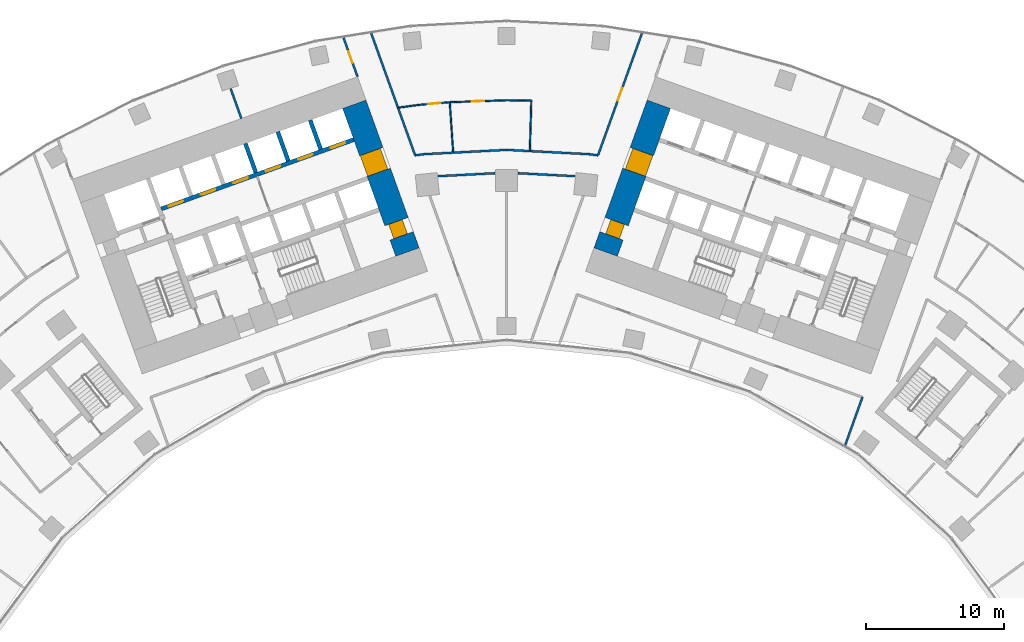
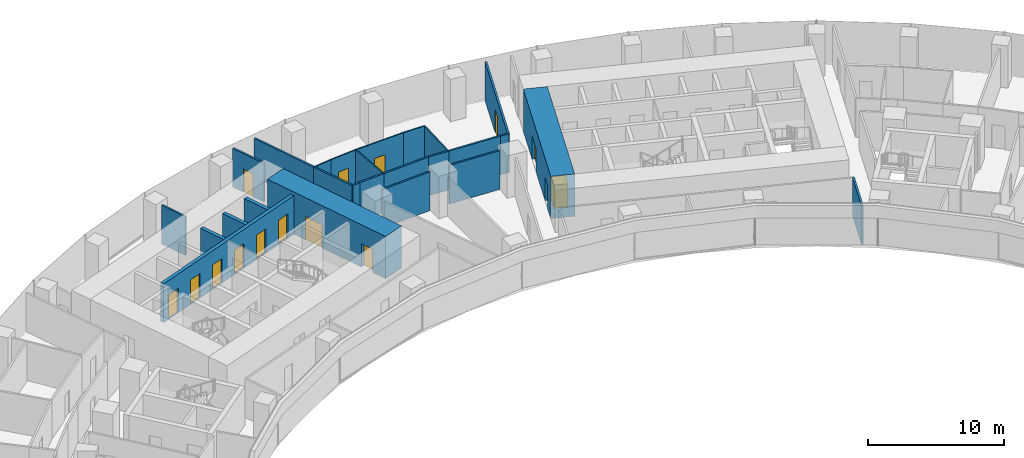
# One storey, part 16 of 21: 26 walls, 14 doors, 14 openings.
"""IFC4 building model written with IfcOpenShell, lengths in metres."""

from ifc_helpers import new_model, si_unit, direction, frame, frame_2d, origin, place, context, subcontext, project, spatial, rectangle, extrude, material, layer, layer_set, type_object, element, fill, save


model = new_model("IFC4")

# Units and contexts
model_context = context("Model", 3, precision=1e-05, world=origin(), true_north=direction((0.0, 1.0)))
body_context = subcontext(model_context, "Body", "Model", "MODEL_VIEW")
ifc_project = project(units=[si_unit("LENGTHUNIT", "METRE"), si_unit("AREAUNIT", "SQUARE_METRE"), si_unit("VOLUMEUNIT", "CUBIC_METRE"), si_unit("PLANEANGLEUNIT", "RADIAN"), si_unit("MASSUNIT", "GRAM", prefix="KILO")], contexts=[model_context])

# Site, building, storey
site_placement = place(None, origin())
site = spatial("IfcSite", under=ifc_project, at=site_placement, CompositionType="ELEMENT")
building_placement = place(site_placement, origin())
building = spatial("IfcBuilding", under=site, at=building_placement, Name="Stone Belt Terrace Tower", CompositionType="ELEMENT")
storey_placement = place(building_placement, frame((0.0, 0.0, 33.800048828125)))
storey = spatial("IfcBuildingStorey", under=building, at=storey_placement, Name="L07", CompositionType="ELEMENT", Elevation=33.800048828125)

# Wall, openings, doors
ifc_material_1 = material(Name="Concrete B80", Category="concrete")
ifc_layer_1 = layer(ifc_material_1, 1.800048828125)
ifc_layer_set_1 = layer_set([ifc_layer_1], Name="Core wall 1800 B80")
wall_type_1 = type_object("IfcWallType", Name="Core wall 1800 B80", PredefinedType="SHEAR", material=ifc_layer_set_1)
wall_1_placement = place(storey_placement, frame((-7.19091796875, 49.8076171875, 0.0), z_axis=(0.0, 0.0, 1.0), x_axis=(-0.338632255135, 0.940918804033, 0.0)))
wall_1 = element("IfcWall", 1, at=wall_1_placement, inside=storey, type_object=wall_type_1, Name="Core A wall end_b L07", PredefinedType="SHEAR", context=body_context, shape_type="SweptSolid", body=[
    extrude(rectangle(XDim=11.39990234375, YDim=1.800048828125, at=frame_2d((5.699951171875, 0.0))), origin(), (0.0, 0.0, 1.0), 3.800048828125),
])
opening_1_placement = place(wall_1_placement, frame((6.14990234375, 0.0, 0.0)))
opening_1 = element("IfcOpeningElement", 2, at=opening_1_placement, cuts=wall_1, Name="Opening L07-C04", PredefinedType="OPENING", context=body_context, shape_type="SweptSolid", body=[
    extrude(rectangle(XDim=1.60009765625, YDim=2.10009765625, at=frame_2d((0.800048828125, 1.050048828125))), frame((0.0, 0.909912109375, 0.0), z_axis=(0.0, -1.0, 0.0), x_axis=(1.0, 0.0, 0.0)), (0.0, 0.0, 1.0), 1.820068359375),
])
opening_2_placement = place(wall_1_placement, frame((1.25, 0.0, 0.0)))
opening_2 = element("IfcOpeningElement", 3, at=opening_2_placement, cuts=wall_1, Name="Opening L07-C10", PredefinedType="OPENING", context=body_context, shape_type="SweptSolid", body=[
    extrude(rectangle(XDim=1.10009765625, YDim=2.10009765625, at=frame_2d((0.550048828125, 1.050048828125))), frame((0.0, 0.909912109375, 0.0), z_axis=(0.0, -1.0, 0.0), x_axis=(1.0, 0.0, 0.0)), (0.0, 0.0, 1.0), 1.820068359375),
])
ifc_material_2 = material(Name="Timber door leaf", Category="wood")
door_type_1 = type_object("IfcDoorType", Name="Core room door 1100", OperationType="SINGLE_SWING_LEFT", PredefinedType="DOOR", material=ifc_material_2)
door_1_placement = place(opening_2_placement, origin())
door_1 = element("IfcDoor", 4, at=door_1_placement, inside=storey, type_object=door_type_1, Name="Door to Electrical riser room core A", OperationType="SINGLE_SWING_RIGHT", OverallHeight=2.10009765625, OverallWidth=1.10009765625, PredefinedType="DOOR", context=body_context, shape_type="SweptSolid", body=[
    extrude(rectangle(XDim=1.10009765625, YDim=2.10009765625, at=frame_2d((0.550048828125, 1.050048828125))), frame((0.0, 0.60498046875, 0.0), z_axis=(0.0, -1.0, 0.0), x_axis=(1.0, 0.0, 0.0)), (0.0, 0.0, 1.0), 1.050048828125),
])
fill(opening_2, door_1)
ifc_material_3 = material(Name="Glazed aluminium door leaf", Category="aluminium")
door_type_2 = type_object("IfcDoorType", Name="Lift lobby entrance door 1600", OperationType="DOUBLE_DOOR_SINGLE_SWING", PredefinedType="DOOR", material=ifc_material_3)
door_2_placement = place(opening_1_placement, origin())
door_2 = element("IfcDoor", 5, at=door_2_placement, inside=storey, type_object=door_type_2, Name="Lift lobby entrance door core A", OperationType="DOUBLE_DOOR_SINGLE_SWING", OverallHeight=2.10009765625, OverallWidth=1.60009765625, PredefinedType="DOOR", context=body_context, shape_type="SweptSolid", body=[
    extrude(rectangle(XDim=1.60009765625, YDim=2.10009765625, at=frame_2d((0.800048828125, 1.050048828125))), frame((0.0, 0.85498046875, 0.0), z_axis=(0.0, -1.0, 0.0), x_axis=(1.0, 0.0, 0.0)), (0.0, 0.0, 1.0), 1.550048828125),
])
fill(opening_1, door_2)

wall_2_placement = place(storey_placement, frame((7.19091796875, 49.8076171875, 0.0), z_axis=(0.0, 0.0, 1.0), x_axis=(0.338632255135, 0.940918804033, 0.0)))
wall_2 = element("IfcWall", 6, at=wall_2_placement, inside=storey, type_object=wall_type_1, Name="Core B wall end_a L07", PredefinedType="SHEAR", context=body_context, shape_type="SweptSolid", body=[
    extrude(rectangle(XDim=11.39990234375, YDim=1.800048828125, at=frame_2d((5.699951171875, 0.0))), origin(), (0.0, 0.0, 1.0), 3.800048828125),
])
opening_3_placement = place(wall_2_placement, frame((6.14990234375, 0.0, 0.0)))
opening_3 = element("IfcOpeningElement", 7, at=opening_3_placement, cuts=wall_2, Name="Opening L07-C14", PredefinedType="OPENING", context=body_context, shape_type="SweptSolid", body=[
    extrude(rectangle(XDim=1.60009765625, YDim=2.10009765625, at=frame_2d((0.800048828125, 1.050048828125))), frame((0.0, 0.909912109375, 0.0), z_axis=(0.0, -1.0, 0.0), x_axis=(1.0, 0.0, 0.0)), (0.0, 0.0, 1.0), 1.820068359375),
])
opening_4_placement = place(wall_2_placement, frame((1.25, 0.0, 0.0)))
opening_4 = element("IfcOpeningElement", 8, at=opening_4_placement, cuts=wall_2, Name="Opening L07-C20", PredefinedType="OPENING", context=body_context, shape_type="SweptSolid", body=[
    extrude(rectangle(XDim=1.10009765625, YDim=2.10009765625, at=frame_2d((0.550048828125, 1.050048828125))), frame((0.0, 0.909912109375, 0.0), z_axis=(0.0, -1.0, 0.0), x_axis=(1.0, 0.0, 0.0)), (0.0, 0.0, 1.0), 1.820068359375),
])
door_3_placement = place(opening_4_placement, origin())
door_3 = element("IfcDoor", 9, at=door_3_placement, inside=storey, type_object=door_type_1, Name="Door to Electrical riser room core B", OperationType="SINGLE_SWING_LEFT", OverallHeight=2.10009765625, OverallWidth=1.10009765625, PredefinedType="DOOR", context=body_context, shape_type="SweptSolid", body=[
    extrude(rectangle(XDim=1.10009765625, YDim=2.10009765625, at=frame_2d((0.550048828125, 1.050048828125))), frame((0.0, 0.44482421875, 0.0), z_axis=(0.0, -1.0, 0.0), x_axis=(1.0, 0.0, 0.0)), (0.0, 0.0, 1.0), 1.050048828125),
])
fill(opening_4, door_3)
door_4_placement = place(opening_3_placement, origin())
door_4 = element("IfcDoor", 10, at=door_4_placement, inside=storey, type_object=door_type_2, Name="Lift lobby entrance door core B", OperationType="DOUBLE_DOOR_SINGLE_SWING", OverallHeight=2.10009765625, OverallWidth=1.60009765625, PredefinedType="DOOR", context=body_context, shape_type="SweptSolid", body=[
    extrude(rectangle(XDim=1.60009765625, YDim=2.10009765625, at=frame_2d((0.800048828125, 1.050048828125))), frame((0.0, 0.69482421875, 0.0), z_axis=(0.0, -1.0, 0.0), x_axis=(1.0, 0.0, 0.0)), (0.0, 0.0, 1.0), 1.550048828125),
])
fill(opening_3, door_4)

ifc_layer_2 = layer(ifc_material_1, 0.300048828125)
ifc_layer_set_2 = layer_set([ifc_layer_2], Name="Lift shaft wall 300")
wall_type_2 = type_object("IfcWallType", Name="Lift shaft wall 300", PredefinedType="SHEAR", material=ifc_layer_set_2)
wall_3_placement = place(storey_placement, frame((-25.05810546875, 52.9423828125, 0.0), z_axis=(0.0, 0.0, 1.0), x_axis=(0.940918215764, 0.338633889685, 0.0)))
wall_3 = element("IfcWall", 11, at=wall_3_placement, inside=storey, type_object=wall_type_2, Name="Core A wall", PredefinedType="SHEAR", context=body_context, shape_type="SweptSolid", body=[
    extrude(rectangle(XDim=14.850341796875, YDim=0.300048828125, at=frame_2d((7.42529296875, 0.0))), origin(), (0.0, 0.0, 1.0), 3.47998046875),
])
opening_5_placement = place(wall_3_placement, frame((0.570068359375, 0.0, 0.0)))
opening_5 = element("IfcOpeningElement", 12, at=opening_5_placement, cuts=wall_3, Name="Opening L07-LD01", PredefinedType="OPENING", context=body_context, shape_type="SweptSolid", body=[
    extrude(rectangle(XDim=1.10009765625, YDim=2.199951171875, at=frame_2d((0.550048828125, 1.10009765625))), frame((0.0, 0.159912109375, 0.0), z_axis=(0.0, -1.0, 0.0), x_axis=(1.0, 0.0, 0.0)), (0.0, 0.0, 1.0), 0.320068359375),
])
opening_6_placement = place(wall_3_placement, frame((3.070068359375, 0.0, 0.0)))
opening_6 = element("IfcOpeningElement", 13, at=opening_6_placement, cuts=wall_3, Name="Opening L07-LD02", PredefinedType="OPENING", context=body_context, shape_type="SweptSolid", body=[
    extrude(rectangle(XDim=1.10009765625, YDim=2.199951171875, at=frame_2d((0.550048828125, 1.10009765625))), frame((0.0, 0.159912109375, 0.0), z_axis=(0.0, -1.0, 0.0), x_axis=(1.0, 0.0, 0.0)), (0.0, 0.0, 1.0), 0.320068359375),
])
opening_7_placement = place(wall_3_placement, frame((5.570068359375, 0.0, 0.0)))
opening_7 = element("IfcOpeningElement", 14, at=opening_7_placement, cuts=wall_3, Name="Opening L07-LD03", PredefinedType="OPENING", context=body_context, shape_type="SweptSolid", body=[
    extrude(rectangle(XDim=1.10009765625, YDim=2.199951171875, at=frame_2d((0.550048828125, 1.10009765625))), frame((0.0, 0.159912109375, 0.0), z_axis=(0.0, -1.0, 0.0), x_axis=(1.0, 0.0, 0.0)), (0.0, 0.0, 1.0), 0.320068359375),
])
opening_8_placement = place(wall_3_placement, frame((8.070068359375, 0.0, 0.0)))
opening_8 = element("IfcOpeningElement", 15, at=opening_8_placement, cuts=wall_3, Name="Opening L07-LD04", PredefinedType="OPENING", context=body_context, shape_type="SweptSolid", body=[
    extrude(rectangle(XDim=1.10009765625, YDim=2.199951171875, at=frame_2d((0.550048828125, 1.10009765625))), frame((0.0, 0.159912109375, 0.0), z_axis=(0.0, -1.0, 0.0), x_axis=(1.0, 0.0, 0.0)), (0.0, 0.0, 1.0), 0.320068359375),
])
opening_9_placement = place(wall_3_placement, frame((10.570068359375, 0.0, 0.0)))
opening_9 = element("IfcOpeningElement", 16, at=opening_9_placement, cuts=wall_3, Name="Opening L07-LD05", PredefinedType="OPENING", context=body_context, shape_type="SweptSolid", body=[
    extrude(rectangle(XDim=1.10009765625, YDim=2.199951171875, at=frame_2d((0.550048828125, 1.10009765625))), frame((0.0, 0.159912109375, 0.0), z_axis=(0.0, -1.0, 0.0), x_axis=(1.0, 0.0, 0.0)), (0.0, 0.0, 1.0), 0.320068359375),
])
opening_10_placement = place(wall_3_placement, frame((13.070068359375, 0.0, 0.0)))
opening_10 = element("IfcOpeningElement", 17, at=opening_10_placement, cuts=wall_3, Name="Opening L07-LD06", PredefinedType="OPENING", context=body_context, shape_type="SweptSolid", body=[
    extrude(rectangle(XDim=1.10009765625, YDim=2.199951171875, at=frame_2d((0.550048828125, 1.10009765625))), frame((0.0, 0.159912109375, 0.0), z_axis=(0.0, -1.0, 0.0), x_axis=(1.0, 0.0, 0.0)), (0.0, 0.0, 1.0), 0.320068359375),
])
ifc_material_4 = material(Name="Stainless steel door leaf", Category="steel")
door_type_3 = type_object("IfcDoorType", Name="Landing door 1100", OperationType="SLIDING_TO_LEFT", PredefinedType="DOOR", material=ifc_material_4)
door_5_placement = place(opening_5_placement, origin())
door_5 = element("IfcDoor", 18, at=door_5_placement, inside=storey, type_object=door_type_3, Name="Landing door LR1 core A", OperationType="SLIDING_TO_LEFT", OverallHeight=2.199951171875, OverallWidth=1.10009765625, PredefinedType="DOOR", context=body_context, shape_type="SweptSolid", body=[
    extrude(rectangle(XDim=1.10009765625, YDim=2.199951171875, at=frame_2d((0.550048828125, 1.10009765625))), frame((0.0, 0.02490234375, 0.0), z_axis=(0.0, -1.0, 0.0), x_axis=(1.0, 0.0, 0.0)), (0.0, 0.0, 1.0), 0.050048828125),
])
fill(opening_5, door_5)
door_6_placement = place(opening_6_placement, origin())
door_6 = element("IfcDoor", 19, at=door_6_placement, inside=storey, type_object=door_type_3, Name="Landing door LR2 core A", OperationType="SLIDING_TO_LEFT", OverallHeight=2.199951171875, OverallWidth=1.10009765625, PredefinedType="DOOR", context=body_context, shape_type="SweptSolid", body=[
    extrude(rectangle(XDim=1.10009765625, YDim=2.199951171875, at=frame_2d((0.550048828125, 1.10009765625))), frame((0.0, 0.02490234375, 0.0), z_axis=(0.0, -1.0, 0.0), x_axis=(1.0, 0.0, 0.0)), (0.0, 0.0, 1.0), 0.050048828125),
])
fill(opening_6, door_6)
door_7_placement = place(opening_7_placement, origin())
door_7 = element("IfcDoor", 20, at=door_7_placement, inside=storey, type_object=door_type_3, Name="Landing door LR3 core A", OperationType="SLIDING_TO_LEFT", OverallHeight=2.199951171875, OverallWidth=1.10009765625, PredefinedType="DOOR", context=body_context, shape_type="SweptSolid", body=[
    extrude(rectangle(XDim=1.10009765625, YDim=2.199951171875, at=frame_2d((0.550048828125, 1.10009765625))), frame((0.0, 0.02490234375, 0.0), z_axis=(0.0, -1.0, 0.0), x_axis=(1.0, 0.0, 0.0)), (0.0, 0.0, 1.0), 0.050048828125),
])
fill(opening_7, door_7)
door_8_placement = place(opening_8_placement, origin())
door_8 = element("IfcDoor", 21, at=door_8_placement, inside=storey, type_object=door_type_3, Name="Landing door LR4 core A", OperationType="SLIDING_TO_LEFT", OverallHeight=2.199951171875, OverallWidth=1.10009765625, PredefinedType="DOOR", context=body_context, shape_type="SweptSolid", body=[
    extrude(rectangle(XDim=1.10009765625, YDim=2.199951171875, at=frame_2d((0.550048828125, 1.10009765625))), frame((0.0, 0.02490234375, 0.0), z_axis=(0.0, -1.0, 0.0), x_axis=(1.0, 0.0, 0.0)), (0.0, 0.0, 1.0), 0.050048828125),
])
fill(opening_8, door_8)
door_9_placement = place(opening_9_placement, origin())
door_9 = element("IfcDoor", 22, at=door_9_placement, inside=storey, type_object=door_type_3, Name="Landing door LR5 core A", OperationType="SLIDING_TO_LEFT", OverallHeight=2.199951171875, OverallWidth=1.10009765625, PredefinedType="DOOR", context=body_context, shape_type="SweptSolid", body=[
    extrude(rectangle(XDim=1.10009765625, YDim=2.199951171875, at=frame_2d((0.550048828125, 1.10009765625))), frame((0.0, 0.02490234375, 0.0), z_axis=(0.0, -1.0, 0.0), x_axis=(1.0, 0.0, 0.0)), (0.0, 0.0, 1.0), 0.050048828125),
])
fill(opening_9, door_9)
door_10_placement = place(opening_10_placement, origin())
door_10 = element("IfcDoor", 23, at=door_10_placement, inside=storey, type_object=door_type_3, Name="Landing door LR6 core A", OperationType="SLIDING_TO_LEFT", OverallHeight=2.199951171875, OverallWidth=1.10009765625, PredefinedType="DOOR", context=body_context, shape_type="SweptSolid", body=[
    extrude(rectangle(XDim=1.10009765625, YDim=2.199951171875, at=frame_2d((0.550048828125, 1.10009765625))), frame((0.0, 0.02490234375, 0.0), z_axis=(0.0, -1.0, 0.0), x_axis=(1.0, 0.0, 0.0)), (0.0, 0.0, 1.0), 0.050048828125),
])
fill(opening_10, door_10)

# Walls
wall_4_placement = place(storey_placement, frame((-18.193115234375, 55.572509765625, 0.0), z_axis=(0.0, 0.0, 1.0), x_axis=(-0.338535034312, 0.940953787677, 0.0)))
element("IfcWall", 24, at=wall_4_placement, inside=storey, type_object=wall_type_2, Name="Core A wall", PredefinedType="SHEAR", context=body_context, shape_type="SweptSolid", body=[
    extrude(rectangle(XDim=2.25, YDim=0.300048828125, at=frame_2d((1.125, 0.0))), origin(), (0.0, 0.0, 1.0), 3.47998046875),
])
wall_5_placement = place(storey_placement, frame((-15.8408203125, 56.419189453125, 0.0), z_axis=(0.0, 0.0, 1.0), x_axis=(-0.338569601369, 0.940941350472, 0.0)))
element("IfcWall", 25, at=wall_5_placement, inside=storey, type_object=wall_type_2, Name="Core A wall", PredefinedType="SHEAR", context=body_context, shape_type="SweptSolid", body=[
    extrude(rectangle(XDim=2.249755859375, YDim=0.300048828125, at=frame_2d((1.125, 0.0))), origin(), (0.0, 0.0, 1.0), 3.47998046875),
])
wall_6_placement = place(storey_placement, frame((-13.48828125, 57.265625, 0.0), z_axis=(0.0, 0.0, 1.0), x_axis=(-0.338631098537, 0.940919220286, 0.0)))
element("IfcWall", 26, at=wall_6_placement, inside=storey, type_object=wall_type_2, Name="Core A wall", PredefinedType="SHEAR", context=body_context, shape_type="SweptSolid", body=[
    extrude(rectangle(XDim=2.250244140625, YDim=0.300048828125, at=frame_2d((1.125, 0.0))), origin(), (0.0, 0.0, 1.0), 3.47998046875),
])

# Wall, opening, door
ifc_material_5 = material(Name="Gypsum board partition")
ifc_layer_3 = layer(ifc_material_5, 0.10009765625)
ifc_layer_set_3 = layer_set([ifc_layer_3], Name="PARTITION 100")
wall_type_3 = type_object("IfcWallType", Name="PARTITION 100", PredefinedType="PARTITIONING", material=ifc_layer_set_3)
wall_7_placement = place(storey_placement, frame((-4.123046875, 60.68505859375, 0.0), z_axis=(0.0, 0.0, 1.0), x_axis=(-0.996287406796, -0.086089506093, 0.0)))
wall_7 = element("IfcWall", 27, at=wall_7_placement, inside=storey, type_object=wall_type_3, Name="L07/wall/i088", PredefinedType="PARTITIONING", context=body_context, shape_type="SweptSolid", body=[
    extrude(rectangle(XDim=2.2431640625, YDim=0.10009765625, at=frame_2d((1.12158203125, 0.0))), origin(), (0.0, 0.0, 1.0), 3.47998046875),
])
opening_11_placement = place(wall_7_placement, frame((0.671630859375, 0.0, 0.0)))
opening_11 = element("IfcOpeningElement", 28, at=opening_11_placement, cuts=wall_7, Name="Opening D-A1b-29", PredefinedType="OPENING", context=body_context, shape_type="SweptSolid", body=[
    extrude(rectangle(XDim=0.89990234375, YDim=2.10009765625, at=frame_2d((0.449951171875, 1.050048828125))), frame((0.0, 0.06005859375, 0.0), z_axis=(0.0, -1.0, 0.0), x_axis=(1.0, 0.0, 0.0)), (0.0, 0.0, 1.0), 0.1201171875),
])
door_type_4 = type_object("IfcDoorType", Name="OFFICE DOOR 900 X 2100", OperationType="NOTDEFINED", PredefinedType="DOOR", material=ifc_material_2)
door_11_placement = place(opening_11_placement, origin())
door_11 = element("IfcDoor", 29, at=door_11_placement, inside=storey, type_object=door_type_4, Name="L07/door/i29", OperationType="SINGLE_SWING_RIGHT", OverallHeight=2.10009765625, OverallWidth=0.89990234375, PredefinedType="DOOR", context=body_context, shape_type="SweptSolid", body=[
    extrude(rectangle(XDim=0.89990234375, YDim=2.10009765625, at=frame_2d((0.449951171875, 1.050048828125))), frame((0.0, 0.02490234375, 0.0), z_axis=(0.0, -1.0, 0.0), x_axis=(1.0, 0.0, 0.0)), (0.0, 0.0, 1.0), 0.050048828125),
])
fill(opening_11, door_11)

# Walls
wall_8_placement = place(storey_placement, frame((-6.35791015625, 60.491943359375, 0.0), z_axis=(0.0, 0.0, 1.0), x_axis=(-0.990874606543, -0.134786921134, 0.0)))
element("IfcWall", 30, at=wall_8_placement, inside=storey, type_object=wall_type_3, Name="L07/wall/i089", PredefinedType="PARTITIONING", context=body_context, shape_type="SweptSolid", body=[
    extrude(rectangle(XDim=1.535888671875, YDim=0.10009765625, at=frame_2d((0.76806640625, 0.0))), origin(), (0.0, 0.0, 1.0), 3.47998046875),
])
wall_9_placement = place(storey_placement, frame((1.68896484375, 57.136962890625, 0.0), z_axis=(0.0, 0.0, 1.0), x_axis=(0.029528329362, 0.99956394381, 0.0)))
element("IfcWall", 31, at=wall_9_placement, inside=storey, type_object=wall_type_3, Name="L07/wall/i090", PredefinedType="PARTITIONING", context=body_context, shape_type="SweptSolid", body=[
    extrude(rectangle(XDim=3.662841796875, YDim=0.10009765625, at=frame_2d((1.83154296875, 0.0))), origin(), (0.0, 0.0, 1.0), 3.47998046875),
])
wall_10_placement = place(storey_placement, frame((1.797119140625, 60.798095703125, 0.0), z_axis=(0.0, 0.0, 1.0), x_axis=(-0.999888362781, 0.014941953526, 0.0)))
element("IfcWall", 32, at=wall_10_placement, inside=storey, type_object=wall_type_3, Name="L07/wall/i091", PredefinedType="PARTITIONING", context=body_context, shape_type="SweptSolid", body=[
    extrude(rectangle(XDim=1.79736328125, YDim=0.10009765625, at=frame_2d((0.898681640625, 0.0))), origin(), (0.0, 0.0, 1.0), 3.47998046875),
])

# Wall, opening, door
wall_11_placement = place(storey_placement, frame((0.0, 60.824951171875, 0.0), z_axis=(0.0, 0.0, 1.0), x_axis=(-0.999424893821, -0.03390990432, 0.0)))
wall_11 = element("IfcWall", 33, at=wall_11_placement, inside=storey, type_object=wall_type_3, Name="L07/wall/i092", PredefinedType="PARTITIONING", context=body_context, shape_type="SweptSolid", body=[
    extrude(rectangle(XDim=4.12548828125, YDim=0.10009765625, at=frame_2d((2.062744140625, 0.0))), origin(), (0.0, 0.0, 1.0), 3.47998046875),
])
opening_12_placement = place(wall_11_placement, frame((1.61279296875, 0.0, 0.0)))
opening_12 = element("IfcOpeningElement", 34, at=opening_12_placement, cuts=wall_11, Name="Opening D-A1b-30", PredefinedType="OPENING", context=body_context, shape_type="SweptSolid", body=[
    extrude(rectangle(XDim=0.89990234375, YDim=2.10009765625, at=frame_2d((0.449951171875, 1.050048828125))), frame((0.0, 0.06005859375, 0.0), z_axis=(0.0, -1.0, 0.0), x_axis=(1.0, 0.0, 0.0)), (0.0, 0.0, 1.0), 0.1201171875),
])
door_12_placement = place(opening_12_placement, origin())
door_12 = element("IfcDoor", 35, at=door_12_placement, inside=storey, type_object=door_type_4, Name="L07/door/i30", OperationType="SINGLE_SWING_RIGHT", OverallHeight=2.10009765625, OverallWidth=0.89990234375, PredefinedType="DOOR", context=body_context, shape_type="SweptSolid", body=[
    extrude(rectangle(XDim=0.89990234375, YDim=2.10009765625, at=frame_2d((0.449951171875, 1.050048828125))), frame((0.0, 0.02490234375, 0.0), z_axis=(0.0, -1.0, 0.0), x_axis=(1.0, 0.0, 0.0)), (0.0, 0.0, 1.0), 0.050048828125),
])
fill(opening_12, door_12)

# Wall
wall_12_placement = place(storey_placement, frame((-4.123046875, 60.68505859375, 0.0), z_axis=(0.0, 0.0, 1.0), x_axis=(0.067825323617, -0.99769721132, 0.0)))
element("IfcWall", 36, at=wall_12_placement, inside=storey, type_object=wall_type_3, Name="L07/wall/i093", PredefinedType="PARTITIONING", context=body_context, shape_type="SweptSolid", body=[
    extrude(rectangle(XDim=3.671630859375, YDim=0.10009765625, at=frame_2d((1.8359375, 0.0))), origin(), (0.0, 0.0, 1.0), 3.47998046875),
])

# Wall, opening, door
ifc_layer_4 = layer(ifc_material_5, 0.14990234375)
ifc_layer_set_4 = layer_set([ifc_layer_4], Name="PARTITION 150 EI 60")
wall_type_4 = type_object("IfcWallType", Name="PARTITION 150 EI 60", PredefinedType="PARTITIONING", material=ifc_layer_set_4)
wall_13_placement = place(storey_placement, frame((-10.81396484375, 62.531982421875, 0.0), z_axis=(0.0, 0.0, 1.0), x_axis=(-0.338526810165, 0.940956746508, 0.0)))
wall_13 = element("IfcWall", 37, at=wall_13_placement, inside=storey, type_object=wall_type_4, Name="L07/wall/i008", PredefinedType="PARTITIONING", context=body_context, shape_type="SweptSolid", body=[
    extrude(rectangle(XDim=3.006591796875, YDim=0.14990234375, at=frame_2d((1.50341796875, 0.0))), origin(), (0.0, 0.0, 1.0), 3.47998046875),
])
opening_13_placement = place(wall_13_placement, frame((1.05322265625, 0.0, 0.0)))
opening_13 = element("IfcOpeningElement", 38, at=opening_13_placement, cuts=wall_13, Name="Opening D-A1b-04", PredefinedType="OPENING", context=body_context, shape_type="SweptSolid", body=[
    extrude(rectangle(XDim=0.89990234375, YDim=2.10009765625, at=frame_2d((0.449951171875, 1.050048828125))), frame((0.0, 0.0849609375, 0.0), z_axis=(0.0, -1.0, 0.0), x_axis=(1.0, 0.0, 0.0)), (0.0, 0.0, 1.0), 0.169921875),
])
door_13_placement = place(opening_13_placement, origin())
door_13 = element("IfcDoor", 39, at=door_13_placement, inside=storey, type_object=door_type_4, Name="L07/door/i04", OperationType="SINGLE_SWING_RIGHT", OverallHeight=2.10009765625, OverallWidth=0.89990234375, PredefinedType="DOOR", context=body_context, shape_type="SweptSolid", body=[
    extrude(rectangle(XDim=0.89990234375, YDim=2.10009765625, at=frame_2d((0.449951171875, 1.050048828125))), frame((0.0, 0.02490234375, 0.0), z_axis=(0.0, -1.0, 0.0), x_axis=(1.0, 0.0, 0.0)), (0.0, 0.0, 1.0), 0.050048828125),
])
fill(opening_13, door_13)

# Walls
wall_14_placement = place(storey_placement, frame((-9.8212890625, 65.68115234375, 0.0), z_axis=(0.0, 0.0, 1.0), x_axis=(0.338654718981, -0.940910719097, 0.0)))
element("IfcWall", 40, at=wall_14_placement, inside=storey, type_object=wall_type_4, Name="L07/wall/i010", PredefinedType="PARTITIONING", context=body_context, shape_type="SweptSolid", body=[
    extrude(rectangle(XDim=5.741455078125, YDim=0.14990234375, at=frame_2d((2.87060546875, 0.0))), origin(), (0.0, 0.0, 1.0), 3.47998046875),
])
wall_15_placement = place(storey_placement, frame((-7.881103515625, 60.291015625, 0.0), z_axis=(0.0, 0.0, 1.0), x_axis=(0.338379307306, -0.941009800367, 0.0)))
element("IfcWall", 41, at=wall_15_placement, inside=storey, type_object=wall_type_4, Name="L07/wall/i011", PredefinedType="PARTITIONING", context=body_context, shape_type="SweptSolid", body=[
    extrude(rectangle(XDim=3.685302734375, YDim=0.14990234375, at=frame_2d((1.8427734375, 0.0))), origin(), (0.0, 0.0, 1.0), 3.47998046875),
])
wall_16_placement = place(storey_placement, frame((-20.022216796875, 61.664794921875, 0.0), z_axis=(0.0, 0.0, 1.0), x_axis=(0.338572980458, -0.940940134601, 0.0)))
element("IfcWall", 42, at=wall_16_placement, inside=storey, type_object=wall_type_4, Name="L07/wall/i015", PredefinedType="PARTITIONING", context=body_context, shape_type="SweptSolid", body=[
    extrude(rectangle(XDim=2.3017578125, YDim=0.14990234375, at=frame_2d((1.15087890625, 0.0))), origin(), (0.0, 0.0, 1.0), 3.47998046875),
])

# Wall, opening, door
wall_17_placement = place(storey_placement, frame((6.634033203125, 56.822998046875, 0.0), z_axis=(0.0, 0.0, 1.0), x_axis=(0.338561511742, 0.940944261243, 0.0)))
wall_17 = element("IfcWall", 43, at=wall_17_placement, inside=storey, type_object=wall_type_4, Name="L07/wall/i019", PredefinedType="PARTITIONING", context=body_context, shape_type="SweptSolid", body=[
    extrude(rectangle(XDim=9.4140625, YDim=0.14990234375, at=frame_2d((4.70703125, 0.0))), origin(), (0.0, 0.0, 1.0), 3.47998046875),
])
opening_14_placement = place(wall_17_placement, frame((4.20703125, 0.0, 0.0)))
opening_14 = element("IfcOpeningElement", 44, at=opening_14_placement, cuts=wall_17, Name="Opening D-A1b-28", PredefinedType="OPENING", context=body_context, shape_type="SweptSolid", body=[
    extrude(rectangle(XDim=1.0, YDim=2.10009765625, at=frame_2d((0.5, 1.050048828125))), frame((0.0, 0.0849609375, 0.0), z_axis=(0.0, -1.0, 0.0), x_axis=(1.0, 0.0, 0.0)), (0.0, 0.0, 1.0), 0.169921875),
])
ifc_material_6 = material(Name="Timber fire door leaf", Category="wood")
door_type_5 = type_object("IfcDoorType", Name="TENANCY ENTRANCE DOOR 1000 X 2100", OperationType="NOTDEFINED", PredefinedType="DOOR", material=ifc_material_6)
door_14_placement = place(opening_14_placement, origin())
door_14 = element("IfcDoor", 45, at=door_14_placement, inside=storey, type_object=door_type_5, Name="L07/door/i28", OperationType="SINGLE_SWING_RIGHT", OverallHeight=2.10009765625, OverallWidth=1.0, PredefinedType="DOOR", context=body_context, shape_type="SweptSolid", body=[
    extrude(rectangle(XDim=1.0, YDim=2.10009765625, at=frame_2d((0.5, 1.050048828125))), frame((0.0, 0.02490234375, 0.0), z_axis=(0.0, -1.0, 0.0), x_axis=(1.0, 0.0, 0.0)), (0.0, 0.0, 1.0), 0.050048828125),
])
fill(opening_14, door_14)

# Walls
wall_18_placement = place(storey_placement, frame((24.56494140625, 35.771728515625, 0.0), z_axis=(0.0, 0.0, 1.0), x_axis=(0.338392582605, 0.941005026574, 0.0)))
element("IfcWall", 46, at=wall_18_placement, inside=storey, type_object=wall_type_4, Name="L07/wall/i020", PredefinedType="PARTITIONING", context=body_context, shape_type="SweptSolid", body=[
    extrude(rectangle(XDim=3.729248046875, YDim=0.14990234375, at=frame_2d((1.86474609375, 0.0))), origin(), (0.0, 0.0, 1.0), 3.47998046875),
])
for number, where, z_axis, x_axis, name in (
    (47, (-0.830078125, 55.531494140625, 0.0), (0.0, 0.0, 1.0), (-0.998634659291, -0.052238082501, 0.0), "L07/wall/i079"),
    (48, (4.979248046875, 55.314453125, 0.0), (0.0, 0.0, 1.0), (-0.998634659291, 0.052238082501, 0.0), "L07/wall/i080"),
):
    element("IfcWall", number, at=place(storey_placement, frame(where, z_axis=z_axis, x_axis=x_axis)), inside=storey, type_object=wall_type_4, Name=name, PredefinedType="PARTITIONING", context=body_context, shape_type="SweptSolid", body=[
        extrude(rectangle(XDim=4.15478515625, YDim=0.14990234375, at=frame_2d((2.077392578125, 0.0))), origin(), (0.0, 0.0, 1.0), 3.47998046875),
    ])
wall_19_placement = place(storey_placement, frame((1.68310546875, 57.136962890625, 0.0), z_axis=(0.0, 0.0, 1.0), x_axis=(0.99863485374, -0.052234365078, 0.0)))
element("IfcWall", 49, at=wall_19_placement, inside=storey, type_object=wall_type_4, Name="L07/wall/i081", PredefinedType="PARTITIONING", context=body_context, shape_type="SweptSolid", body=[
    extrude(rectangle(XDim=4.3046875, YDim=0.14990234375, at=frame_2d((2.15234375, 0.0))), origin(), (0.0, 0.0, 1.0), 3.47998046875),
])
for number, where, z_axis, x_axis, name in (
    (50, (5.98193359375, 56.912109375, 0.0), (0.0, 0.0, 1.0), (0.992042541351, -0.125903122083, 0.0), "L07/wall/i082"),
    (51, (-6.635986328125, 56.8291015625, 0.0), (0.0, 0.0, 1.0), (0.992042541351, 0.125903122083, 0.0), "L07/wall/i083"),
):
    element("IfcWall", number, at=place(storey_placement, frame(where, z_axis=z_axis, x_axis=x_axis)), inside=storey, type_object=wall_type_4, Name=name, PredefinedType="PARTITIONING", context=body_context, shape_type="SweptSolid", body=[
        extrude(rectangle(XDim=0.6591796875, YDim=0.14990234375, at=frame_2d((0.32958984375, 0.0))), origin(), (0.0, 0.0, 1.0), 3.47998046875),
    ])
wall_20_placement = place(storey_placement, frame((-5.98193359375, 56.912109375, 0.0), z_axis=(0.0, 0.0, 1.0), x_axis=(0.998628322713, 0.052359078244, 0.0)))
element("IfcWall", 52, at=wall_20_placement, inside=storey, type_object=wall_type_4, Name="L07/wall/i084", PredefinedType="PARTITIONING", context=body_context, shape_type="SweptSolid", body=[
    extrude(rectangle(XDim=2.116943359375, YDim=0.14990234375, at=frame_2d((1.05859375, 0.0))), origin(), (0.0, 0.0, 1.0), 3.47998046875),
])
wall_21_placement = place(storey_placement, frame((-3.8798828125, 57.02197265625, 0.0), z_axis=(0.0, 0.0, 1.0), x_axis=(0.998632372254, 0.052281785409, 0.0)))
element("IfcWall", 53, at=wall_21_placement, inside=storey, type_object=wall_type_4, Name="L07/wall/i085", PredefinedType="PARTITIONING", context=body_context, shape_type="SweptSolid", body=[
    extrude(rectangle(XDim=3.88525390625, YDim=0.14990234375, at=frame_2d((1.942626953125, 0.0))), origin(), (0.0, 0.0, 1.0), 3.47998046875),
])
wall_22_placement = place(storey_placement, frame((0.0, 57.22509765625, 0.0), z_axis=(0.0, 0.0, 1.0), x_axis=(0.9986210061, -0.052498439756, 0.0)))
element("IfcWall", 54, at=wall_22_placement, inside=storey, type_object=wall_type_4, Name="L07/wall/i086", PredefinedType="PARTITIONING", context=body_context, shape_type="SweptSolid", body=[
    extrude(rectangle(XDim=1.697509765625, YDim=0.14990234375, at=frame_2d((0.8486328125, 0.0))), origin(), (0.0, 0.0, 1.0), 3.47998046875),
])

save(model, "model.ifc")
